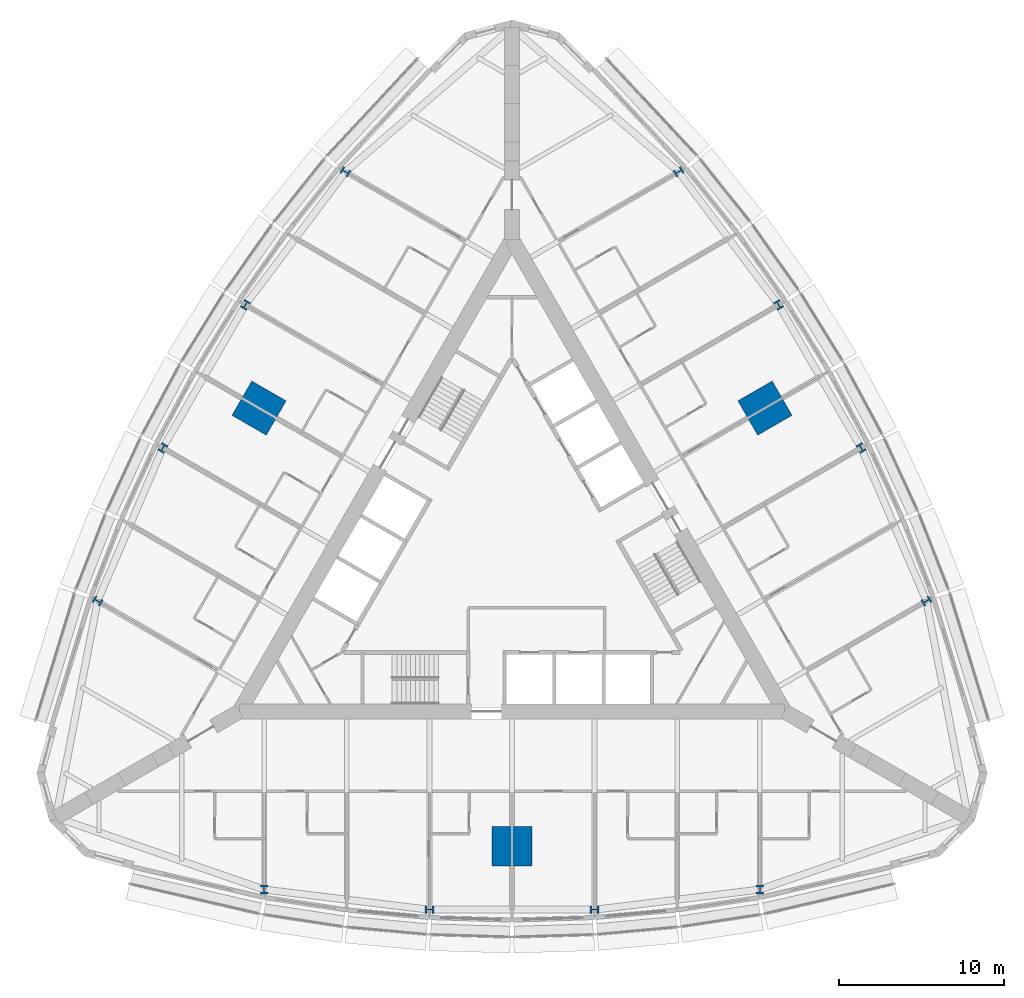
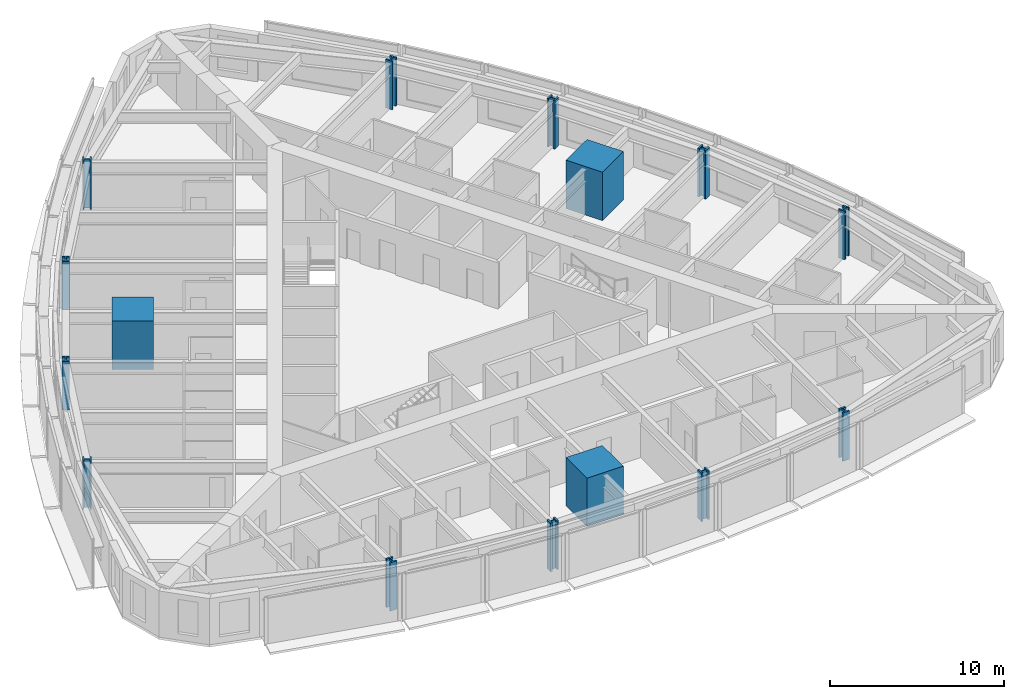
# One storey, part 1 of 14: 15 columns.
"""IFC4 building model written with IfcOpenShell, lengths in metres."""

import ifcopenshell
import ifcopenshell.guid

model = None  # the IFC model being written
_history = None  # IfcOwnerHistory: only IFC2X3 demands one
_inside = {}  # id of a spatial element -> (the spatial element, [elements in it])
_under = {}  # id of a project, library or spatial element -> (it, [spatial elements below it])
_declared = {}  # id of a project -> (the project, [libraries it declares])
_typed = {}  # id of a type object -> (the type object, [elements of that type])
_made_of = {}  # id of a material, layer set ... -> (it, [elements and type objects made of it])


def new_model(schema):
    """Start an empty IFC model of exactly this schema.

    Asked for "IFC4X3", IfcOpenShell would pick the latest addendum, in which some entities
    have other attributes; the version numbers below select the first issue.
    IFC2X3 requires an IfcOwnerHistory on every rooted entity: one is made here for all.
    """
    global model, _history
    if schema == "IFC4X3":
        model = ifcopenshell.file(schema_version=(4, 3, 0, 0))
    else:
        model = ifcopenshell.file(schema=schema)
    _inside.clear()
    _under.clear()
    _declared.clear()
    _typed.clear()
    _made_of.clear()
    _history = None
    if model.schema == "IFC2X3":
        org = make("IfcOrganization", Name="unknown")
        user = make(
            "IfcPersonAndOrganization",
            ThePerson=make("IfcPerson", FamilyName="unknown"),
            TheOrganization=org,
        )
        app = make(
            "IfcApplication",
            ApplicationDeveloper=org,
            Version="unknown",
            ApplicationFullName="unknown",
            ApplicationIdentifier="unknown",
        )
        _history = make(
            "IfcOwnerHistory",
            OwningUser=user,
            OwningApplication=app,
            ChangeAction="ADDED",
            CreationDate=0,
        )
    return model


def make(cls, **values):
    """One entity of the class cls with the attributes given. An attribute that is None is left unset."""
    return model.create_entity(
        cls, **{name: value for name, value in values.items() if value is not None}
    )


def rooted(cls, **values):
    """An entity with a GlobalId (a new one), such as an element, a storey or a relation."""
    return make(cls, GlobalId=ifcopenshell.guid.new(), OwnerHistory=_history, **values)


def si_unit(unit_type, name, prefix=None):
    """IfcSIUnit, for example si_unit("LENGTHUNIT", "METRE", prefix="MILLI")."""
    return make("IfcSIUnit", UnitType=unit_type, Prefix=prefix, Name=name)


def assignment(units):
    """IfcUnitAssignment: the units of a project."""
    return None if units is None else make("IfcUnitAssignment", Units=units)


def point(xyz):
    """IfcCartesianPoint."""
    return None if xyz is None else make("IfcCartesianPoint", Coordinates=xyz)


def direction(xyz):
    """IfcDirection."""
    return None if xyz is None else make("IfcDirection", DirectionRatios=xyz)


def frame(location, z_axis=None, x_axis=None):
    """IfcAxis2Placement3D, a coordinate frame: its origin and axes. An axis left out is left unset."""
    return make(
        "IfcAxis2Placement3D",
        Location=point(location),
        Axis=direction(z_axis),
        RefDirection=direction(x_axis),
    )


def frame_2d(location, x_axis=None):
    """IfcAxis2Placement2D, a coordinate frame in the plane: its origin and x axis."""
    return make(
        "IfcAxis2Placement2D", Location=point(location), RefDirection=direction(x_axis)
    )


def origin():
    """The frame at (0, 0, 0) with its axes left unset."""
    return frame((0.0, 0.0, 0.0))


def origin_2d():
    """The frame at (0, 0) in the plane with its x axis left unset."""
    return frame_2d((0.0, 0.0))


def place(relative_to, where):
    """IfcLocalPlacement: puts the frame where relative to a parent placement (None: the world)."""
    return make(
        "IfcLocalPlacement", PlacementRelTo=relative_to, RelativePlacement=where
    )


def context(
    kind, dimensions, precision=None, world=None, true_north=None, identifier=None
):
    """IfcGeometricRepresentationContext, for example the 3D "Model" context."""
    return make(
        "IfcGeometricRepresentationContext",
        ContextIdentifier=identifier,
        ContextType=kind,
        CoordinateSpaceDimension=dimensions,
        Precision=precision,
        WorldCoordinateSystem=world,
        TrueNorth=true_north,
    )


def subcontext(parent, identifier, kind, view, scale=None):
    """IfcGeometricRepresentationSubContext, for example "Body" below "Model"."""
    return make(
        "IfcGeometricRepresentationSubContext",
        ContextIdentifier=identifier,
        ContextType=kind,
        ParentContext=parent,
        TargetScale=scale,
        TargetView=view,
    )


def project(units=None, contexts=None):
    """IfcProject with its units and contexts."""
    return rooted(
        "IfcProject",
        Name="project",
        RepresentationContexts=contexts,
        UnitsInContext=assignment(units),
    )


def spatial(cls, under=None, at=None, **own):
    """A site, building, storey or space (cls), placed at a placement, below another one or the project."""
    s = rooted(cls, ObjectPlacement=at, **own)
    if under is not None:
        _under.setdefault(under.id(), (under, []))[1].append(s)
    return s


def profile(cls, at=None, kind="AREA", **sizes):
    """A parametric profile (cls). Its sizes go by their IFC names, for example OverallWidth=200.0."""
    return make(cls, ProfileType=kind, Position=at, **sizes)


def rectangle(**sizes):
    """IfcRectangleProfileDef."""
    return profile("IfcRectangleProfileDef", **sizes)


def i_section(**sizes):
    """IfcIShapeProfileDef."""
    return profile("IfcIShapeProfileDef", **sizes)


def extrude(swept, where, along, depth):
    """IfcExtrudedAreaSolid: the profile swept, set in the frame where, extruded along a direction by depth."""
    return make(
        "IfcExtrudedAreaSolid",
        SweptArea=swept,
        Position=where,
        ExtrudedDirection=direction(along),
        Depth=depth,
    )


def shape(context_of_items, identifier, shape_type, items):
    """IfcShapeRepresentation: the items that make up one representation, for example the "Body"."""
    return make(
        "IfcShapeRepresentation",
        ContextOfItems=context_of_items,
        RepresentationIdentifier=identifier,
        RepresentationType=shape_type,
        Items=items,
    )


def material(Name=None, Category=None):
    """IfcMaterial."""
    return make("IfcMaterial", Name=Name, Category=Category)


def material_profile(
    of_material, cross_section, Name=None, Category=None, Priority=None
):
    """IfcMaterialProfile: a cross section and its material."""
    return make(
        "IfcMaterialProfile",
        Name=Name,
        Material=of_material,
        Profile=cross_section,
        Priority=Priority,
        Category=Category,
    )


def profile_set(profiles, Name=None, composite=None):
    """IfcMaterialProfileSet."""
    return make(
        "IfcMaterialProfileSet",
        Name=Name,
        MaterialProfiles=profiles,
        CompositeProfile=composite,
    )


def made_of(thing, what):
    """Note that an element or type object is made of a material, layer set ...; save() writes the relation."""
    if what is not None:
        _made_of.setdefault(what.id(), (what, []))[1].append(thing)
    return thing


def type_object(cls, material=None, **own):
    """A type object (cls), such as IfcWallType, which elements share."""
    return made_of(rooted(cls, **own), material)


def element(
    cls,
    number,
    at=None,
    inside=None,
    cuts=None,
    type_object=None,
    material=None,
    context=None,
    identifier="Body",
    shape_type=None,
    held_by="IfcProductDefinitionShape",
    body=None,
    shapes=None,
    **own,
):
    """One element of the class cls, such as IfcWall. Its Tag is "e" and its number.

    at: its placement. inside: the storey or other place that contains it. cuts: it is an
    opening in that element (IfcRelVoidsElement). A single representation is given by context,
    identifier, shape_type and body (its items); several are given by shapes. held_by: the class
    of the entity that holds the representations. save() writes the other relations.
    """
    e = rooted(cls, Tag="e%d" % number, ObjectPlacement=at, **own)
    if body is not None:
        shapes = [shape(context, identifier, shape_type, body)]
    if shapes is not None:
        e.Representation = make(held_by, Representations=shapes)
    if inside is not None:
        _inside.setdefault(inside.id(), (inside, []))[1].append(e)
    if cuts is not None:
        rooted(
            "IfcRelVoidsElement", RelatingBuildingElement=cuts, RelatedOpeningElement=e
        )
    if type_object is not None:
        _typed.setdefault(type_object.id(), (type_object, []))[1].append(e)
    return made_of(e, material)


def aggregate(whole, parts):
    """IfcRelAggregates: a whole, such as a stair, and the parts it consists of."""
    return rooted("IfcRelAggregates", RelatingObject=whole, RelatedObjects=parts)


def save(model, path):
    """Write the relations noted so far, then the file.

    IfcRelAggregates (storeys below a building ...), IfcRelContainedInSpatialStructure (elements
    in a storey), IfcRelDefinesByType, IfcRelAssociatesMaterial and IfcRelDeclares: one each for
    every whole, place, type object, material and project.
    """
    for whole, parts in _under.values():
        aggregate(whole, parts)
    for where, things in _inside.values():
        rooted(
            "IfcRelContainedInSpatialStructure",
            RelatedElements=things,
            RelatingStructure=where,
        )
    for kind, things in _typed.values():
        rooted("IfcRelDefinesByType", RelatedObjects=things, RelatingType=kind)
    for what, things in _made_of.values():
        rooted("IfcRelAssociatesMaterial", RelatedObjects=things, RelatingMaterial=what)
    for by, libraries in _declared.values():
        rooted("IfcRelDeclares", RelatingContext=by, RelatedDefinitions=libraries)
    model.write(path)


model = new_model("IFC4")

# Units and contexts
model_context = context("Model", 3, precision=1e-05, world=origin(), true_north=direction((0.0, 1.0)))
body_context = subcontext(model_context, "Body", "Model", "MODEL_VIEW")
ifc_project = project(units=[si_unit("LENGTHUNIT", "METRE"), si_unit("AREAUNIT", "SQUARE_METRE"), si_unit("VOLUMEUNIT", "CUBIC_METRE"), si_unit("PLANEANGLEUNIT", "RADIAN"), si_unit("MASSUNIT", "GRAM", prefix="KILO")], contexts=[model_context])

# Site, building, storey
site_placement = place(None, origin())
site = spatial("IfcSite", under=ifc_project, at=site_placement, CompositionType="ELEMENT")
building_placement = place(site_placement, origin())
building = spatial("IfcBuilding", under=site, at=building_placement, Name="Trikona Tower", CompositionType="ELEMENT")
storey_placement = place(building_placement, frame((0.0, 0.0, 69.300048828125)))
storey = spatial("IfcBuildingStorey", under=building, at=storey_placement, Name="L17", CompositionType="ELEMENT", Elevation=69.300048828125)

# Columns
ifc_material_1 = material(Name="Concrete f'c 10000 psi with encased steel section", Category="concrete")
ifc_material_profile_1 = material_profile(ifc_material_1, rectangle(XDim=2.39990234375, YDim=2.39990234375, at=origin_2d()), Name="MC2400")
ifc_profile_set_1 = profile_set([ifc_material_profile_1], Name="Concrete f'c 10000 psi with encased steel section")
column_type_1 = type_object("IfcColumnType", Name="Composite mega column 2400x2400", PredefinedType="COLUMN", material=ifc_profile_set_1)
for number, where, z_axis, x_axis, name in (
    (1, (0.0, -17.680419921875, 0.0), (0.0, 0.0, 1.0), (0.0, -1.0, 0.0), "Mega column MC1"),
    (2, (15.311767578125, 8.84033203125, 0.0), (0.0, 0.0, 1.0), (0.866025403784, 0.5, 0.0), "Mega column MC2"),
    (3, (-15.311767578125, 8.84033203125, 0.0), (0.0, 0.0, 1.0), (-0.866025403784, 0.5, 0.0), "Mega column MC3"),
):
    element("IfcColumn", number, at=place(storey_placement, frame(where, z_axis=z_axis, x_axis=x_axis)), inside=storey, type_object=column_type_1, Name=name, PredefinedType="COLUMN", context=body_context, shape_type="SweptSolid", body=[
        extrude(rectangle(XDim=2.39990234375, YDim=2.39990234375, at=origin_2d()), origin(), (0.0, 0.0, 1.0), 3.39990234375),
    ])
ifc_material_2 = material(Name="Steel ASTM A992 Grade 50", Category="steel")
ifc_material_profile_2 = material_profile(ifc_material_2, i_section(OverallWidth=0.44189453125, OverallDepth=0.53076171875, WebThickness=0.06591796875, FlangeThickness=0.105712890625, at=origin_2d()), Name="W14X605")
ifc_profile_set_2 = profile_set([ifc_material_profile_2], Name="Steel ASTM A992 Grade 50")
column_type_2 = type_object("IfcColumnType", Name="Steel column W14x605", PredefinedType="COLUMN", material=ifc_profile_set_2)
for number, where, z_axis, x_axis, name in (
    (4, (-15.0, -20.302978515625, 0.0), (0.0, 0.0, 1.0), (1.0, 0.0, 0.0), "Column F0m15"),
    (5, (-5.0, -21.5205078125, 0.0), (0.0, 0.0, 1.0), (0.0, -1.0, 0.0), "Column F0m5"),
    (6, (5.0, -21.5205078125, 0.0), (0.0, 0.0, 1.0), (0.0, -1.0, 0.0), "Column F0p5"),
    (7, (15.0, -20.302978515625, 0.0), (0.0, 0.0, 1.0), (1.0, 0.0, 0.0), "Column F0p15"),
    (8, (25.0830078125, -2.8388671875, 0.0), (0.0, 0.0, 1.0), (-0.5, 0.866025403784, 0.0), "Column F1m15"),
    (9, (21.13720703125, 6.43017578125, 0.0), (0.0, 0.0, 1.0), (0.866025403784, 0.5, 0.0), "Column F1m5"),
    (10, (16.13720703125, 15.09033203125, 0.0), (0.0, 0.0, 1.0), (0.866025403784, 0.5, 0.0), "Column F1p5"),
    (11, (10.0830078125, 23.141845703125, 0.0), (0.0, 0.0, 1.0), (-0.5, 0.866025403784, 0.0), "Column F1p15"),
    (12, (-10.0830078125, 23.141845703125, 0.0), (0.0, 0.0, 1.0), (-0.5, -0.866025403784, 0.0), "Column F2m15"),
    (13, (-16.13720703125, 15.09033203125, 0.0), (0.0, 0.0, 1.0), (-0.866025403784, 0.5, 0.0), "Column F2m5"),
    (14, (-21.13720703125, 6.43017578125, 0.0), (0.0, 0.0, 1.0), (-0.866025403784, 0.5, 0.0), "Column F2p5"),
    (15, (-25.0830078125, -2.8388671875, 0.0), (0.0, 0.0, 1.0), (-0.5, -0.866025403784, 0.0), "Column F2p15"),
):
    element("IfcColumn", number, at=place(storey_placement, frame(where, z_axis=z_axis, x_axis=x_axis)), inside=storey, type_object=column_type_2, Name=name, PredefinedType="COLUMN", context=body_context, shape_type="SweptSolid", body=[
        extrude(i_section(OverallWidth=0.44189453125, OverallDepth=0.53076171875, WebThickness=0.06591796875, FlangeThickness=0.105712890625, at=origin_2d()), origin(), (0.0, 0.0, 1.0), 3.39990234375),
    ])

save(model, "model.ifc")
